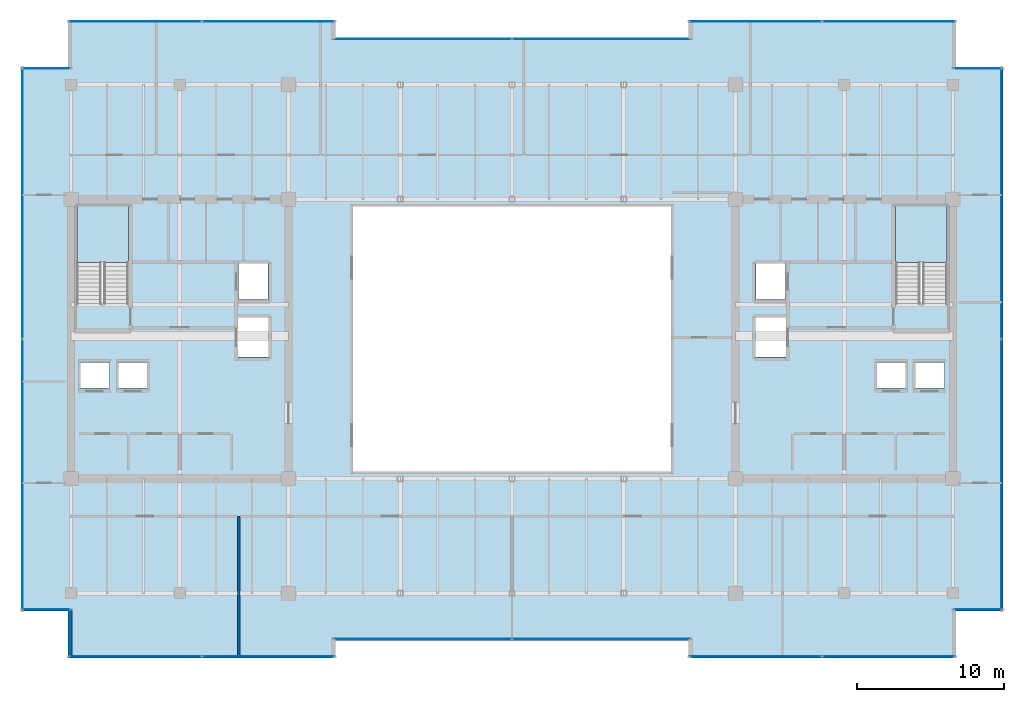
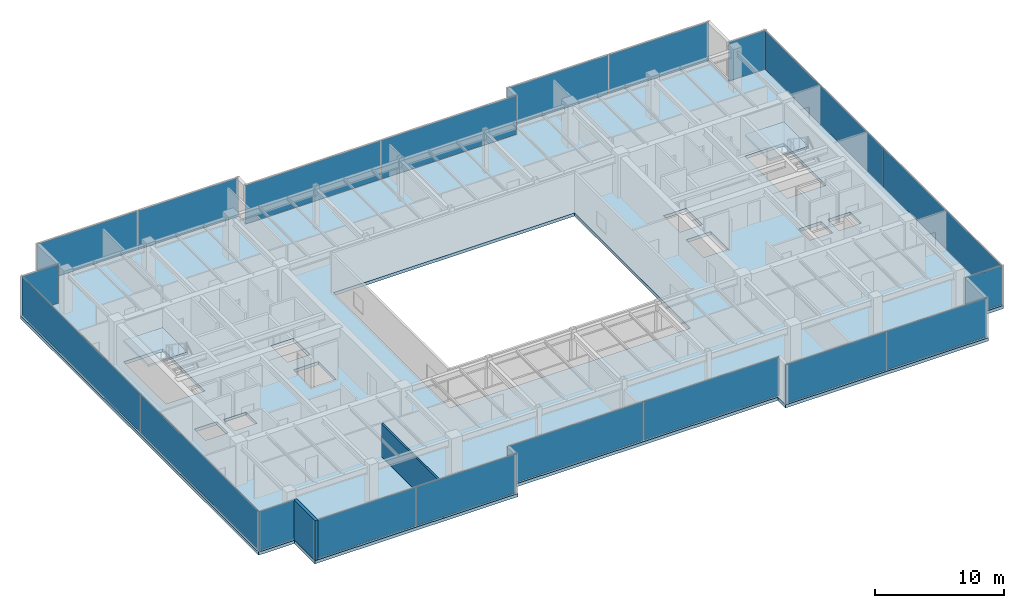
# One storey, part 27 of 33: 20 plates, 3 slabs, 2 walls, 14 elements without a shape of their own.
"""IFC4 building model written with IfcOpenShell, lengths in metres."""

from ifc_helpers import new_model, si_unit, direction, frame, frame_2d, origin, origin_2d, place, context, subcontext, project, spatial, polyline, rectangle, outline, extrude, source, transform, mapped, material, layer, layer_set, type_object, type_shapes, element, aggregate, save


model = new_model("IFC4")

# Units and contexts
model_context = context("Model", 3, precision=1e-05, world=origin(), true_north=direction((0.0, 1.0)))
body_context = subcontext(model_context, "Body", "Model", "MODEL_VIEW")
ifc_project = project(units=[si_unit("LENGTHUNIT", "METRE"), si_unit("AREAUNIT", "SQUARE_METRE"), si_unit("VOLUMEUNIT", "CUBIC_METRE"), si_unit("PLANEANGLEUNIT", "RADIAN"), si_unit("MASSUNIT", "GRAM", prefix="KILO")], contexts=[model_context])

# Site, building, storey
site_placement = place(None, origin())
site = spatial("IfcSite", under=ifc_project, at=site_placement, CompositionType="ELEMENT")
building_placement = place(site_placement, origin())
building = spatial("IfcBuilding", under=site, at=building_placement, Name="Haelvirn Gate Laboratories", CompositionType="ELEMENT")
storey_placement = place(building_placement, frame((0.0, 0.0, 258.800048828125)))
storey = spatial("IfcBuildingStorey", under=building, at=storey_placement, Name="L62", CompositionType="ELEMENT", Elevation=258.800048828125)

# Stair, slab
ifc_material_1 = material(Name="Concrete C40/50", Category="concrete")
stair_type = type_object("IfcStairType", Name="ST-DOG-1650-R22", PredefinedType="HALF_TURN_STAIR", material=ifc_material_1)
stair_1_placement = place(storey_placement, origin())
stair_1 = element("IfcStair", 1, at=stair_1_placement, inside=storey, type_object=stair_type, Name="L62 Escape Stair ST1", PredefinedType="HALF_TURN_STAIR")
ifc_layer_1 = layer(ifc_material_1, 0.199951171875, Name="SL-STAIR-LND")
ifc_layer_set_1 = layer_set([ifc_layer_1], Name="Concrete C40/50")
slab_type_1 = type_object("IfcSlabType", Name="SL-STAIR-LND", PredefinedType="LANDING", material=ifc_layer_set_1)
slab_1_placement = place(storey_placement, frame((0.0, 0.0, 1.849853515625)))
slab_1 = element("IfcSlab", 2, at=slab_1_placement, type_object=slab_type_1, Name="ST1 landing 1", PredefinedType="LANDING", context=body_context, shape_type="SweptSolid", body=[
    extrude(outline(polyline([(11.300048828125, 29.5), (11.300048828125, 33.35009765625), (7.800048828125, 33.35009765625), (7.800048828125, 29.5), (11.300048828125, 29.5)])), origin(), (0.0, 0.0, 1.0), 0.2001953125),
])
aggregate(stair_1, [slab_1])

stair_2_placement = place(storey_placement, origin())
stair_2 = element("IfcStair", 3, at=stair_2_placement, inside=storey, type_object=stair_type, Name="L62 Escape Stair ST2", PredefinedType="HALF_TURN_STAIR")
slab_2_placement = place(storey_placement, frame((0.0, 0.0, 1.849853515625)))
slab_2 = element("IfcSlab", 4, at=slab_2_placement, type_object=slab_type_1, Name="ST2 landing 1", PredefinedType="LANDING", context=body_context, shape_type="SweptSolid", body=[
    extrude(outline(polyline([(67.0, 29.5), (67.0, 33.35009765625), (63.5, 33.35009765625), (63.5, 29.5), (67.0, 29.5)])), origin(), (0.0, 0.0, 1.0), 0.2001953125),
])
aggregate(stair_2, [slab_2])

# Slab
ifc_layer_2 = layer(ifc_material_1, 0.300048828125, Name="SL-Z3-300")
ifc_layer_set_2 = layer_set([ifc_layer_2], Name="Concrete C40/50")
slab_type_2 = type_object("IfcSlabType", Name="SL-Z3-300", PredefinedType="FLOOR", material=ifc_layer_set_2)
slab_3_placement = place(storey_placement, frame((0.0, 0.0, -0.300048828125)))
element("IfcSlab", 5, at=slab_3_placement, inside=storey, type_object=slab_type_2, Name="L62 Structural Slab MAIN", PredefinedType="FLOOR", context=body_context, shape_type="SweptSolid", body=[
    extrude(outline(polyline([(7.199951171875, 2.60009765625), (25.39990234375, 2.60009765625), (25.39990234375, 3.800048828125), (49.39990234375, 3.800048828125), (49.39990234375, 2.60009765625), (67.60009765625, 2.60009765625), (67.60009765625, 5.800048828125), (70.800048828125, 5.800048828125), (70.800048828125, 42.800048828125), (67.60009765625, 42.800048828125), (67.60009765625, 46.0), (49.39990234375, 46.0), (49.39990234375, 44.800048828125), (25.39990234375, 44.800048828125), (25.39990234375, 46.0), (7.199951171875, 46.0), (7.199951171875, 42.800048828125), (4.0, 42.800048828125), (4.0, 5.800048828125), (7.199951171875, 5.800048828125), (7.199951171875, 2.60009765625)]), holes=[polyline([(26.60009765625, 15.300048828125), (48.199951171875, 15.300048828125), (48.199951171875, 33.300048828125), (26.60009765625, 33.300048828125), (26.60009765625, 15.300048828125)]), polyline([(11.300048828125, 26.780029296875), (11.300048828125, 33.35009765625), (7.800048828125, 33.35009765625), (7.800048828125, 26.780029296875), (11.300048828125, 26.780029296875)]), polyline([(67.0, 26.780029296875), (67.0, 33.35009765625), (63.5, 33.35009765625), (63.5, 26.780029296875), (67.0, 26.780029296875)]), polyline([(7.989990234375, 20.969970703125), (10.010009765625, 20.969970703125), (10.010009765625, 22.7099609375), (7.989990234375, 22.7099609375), (7.989990234375, 20.969970703125)]), polyline([(10.590087890625, 20.969970703125), (12.610107421875, 20.969970703125), (12.610107421875, 22.7099609375), (10.590087890625, 22.7099609375), (10.590087890625, 20.969970703125)]), polyline([(18.7900390625, 26.969970703125), (20.81005859375, 26.969970703125), (20.81005859375, 29.510009765625), (18.7900390625, 29.510009765625), (18.7900390625, 26.969970703125)]), polyline([(18.68994140625, 23.070068359375), (20.909912109375, 23.070068359375), (20.909912109375, 25.81005859375), (18.68994140625, 25.81005859375), (18.68994140625, 23.070068359375)]), polyline([(64.7900390625, 20.969970703125), (66.81005859375, 20.969970703125), (66.81005859375, 22.7099609375), (64.7900390625, 22.7099609375), (64.7900390625, 20.969970703125)]), polyline([(62.18994140625, 20.969970703125), (64.2099609375, 20.969970703125), (64.2099609375, 22.7099609375), (62.18994140625, 22.7099609375), (62.18994140625, 20.969970703125)]), polyline([(53.989990234375, 26.969970703125), (56.010009765625, 26.969970703125), (56.010009765625, 29.510009765625), (53.989990234375, 29.510009765625), (53.989990234375, 26.969970703125)]), polyline([(53.889892578125, 23.070068359375), (56.110107421875, 23.070068359375), (56.110107421875, 25.81005859375), (53.889892578125, 25.81005859375), (53.889892578125, 23.070068359375)])]), origin(), (0.0, 0.0, 1.0), 0.300048828125),
])

# Curtain wall, plates
ifc_material_2 = material(Name="Anodised bronze unitised aluminium & triple low-E glass", Category="aluminium")
ifc_layer_3 = layer(ifc_material_2, 0.176025390625, Name="CW-SYS-4")
ifc_layer_set_3 = layer_set([ifc_layer_3], Name="Anodised bronze unitised aluminium & triple low-E glass")
curtain_wall_type_1 = type_object("IfcCurtainWallType", Name="CW-SYS-4", PredefinedType="NOTDEFINED", material=ifc_layer_set_3)
curtain_wall_1_placement = place(storey_placement, origin())
curtain_wall_1 = element("IfcCurtainWall", 6, at=curtain_wall_1_placement, inside=storey, type_object=curtain_wall_type_1, Name="L62 Unitised Curtain Wall CW-L62-P0-E00-1", PredefinedType="NOTDEFINED")
ifc_material_3 = material(Name="Acoustic laminated bronze triple IGU 36 mm", Category="glass")
ifc_layer_4 = layer(ifc_material_3, 0.035888671875, Name="CWP-IGU-36")
ifc_layer_set_4 = layer_set([ifc_layer_4], Name="Acoustic laminated bronze triple IGU 36 mm")
plate_type_1 = type_object("IfcPlateType", Name="CWP-IGU-36", PredefinedType="CURTAIN_PANEL", material=ifc_layer_set_4)
shared_shape_1 = source(origin(), body_context, "Body", "SweptSolid", [
    extrude(rectangle(XDim=8.9951171875, YDim=0.035888671875, at=origin_2d()), origin(), (0.0, 0.0, 1.0), 3.669921875),
])
plate_1_placement = place(storey_placement, frame((11.767578125, 2.699951171875, 0.06494140625), z_axis=(0.0, 0.0, 1.0), x_axis=(1.0, 0.0, 0.0)))
plate_1 = element("IfcPlate", 7, at=plate_1_placement, type_object=plate_type_1, Name="CW4 panel 1.1", PredefinedType="CURTAIN_PANEL", context=body_context, shape_type="MappedRepresentation", body=[
    mapped(shared_shape_1, transform((0.0, 0.0, 0.0), scale=1.0)),
])
plate_2_placement = place(storey_placement, frame((20.83251953125, 2.699951171875, 0.06494140625), z_axis=(0.0, 0.0, 1.0), x_axis=(1.0, 0.0, 0.0)))
plate_2 = element("IfcPlate", 8, at=plate_2_placement, type_object=plate_type_1, Name="CW4 panel 2.1", PredefinedType="CURTAIN_PANEL", context=body_context, shape_type="MappedRepresentation", body=[
    mapped(shared_shape_1, transform((0.0, 0.0, 0.0), scale=1.0)),
])
aggregate(curtain_wall_1, [plate_1, plate_2])

curtain_wall_2_placement = place(storey_placement, origin())
curtain_wall_2 = element("IfcCurtainWall", 9, at=curtain_wall_2_placement, inside=storey, type_object=curtain_wall_type_1, Name="L62 Unitised Curtain Wall CW-L62-P0-E04-1", PredefinedType="NOTDEFINED")
plate_3_placement = place(storey_placement, frame((53.967529296875, 2.699951171875, 0.06494140625), z_axis=(0.0, 0.0, 1.0), x_axis=(1.0, 0.0, 0.0)))
plate_3 = element("IfcPlate", 10, at=plate_3_placement, type_object=plate_type_1, Name="CW4 panel 1.1", PredefinedType="CURTAIN_PANEL", context=body_context, shape_type="MappedRepresentation", body=[
    mapped(shared_shape_1, transform((0.0, 0.0, 0.0), scale=1.0)),
])
plate_4_placement = place(storey_placement, frame((63.032470703125, 2.699951171875, 0.06494140625), z_axis=(0.0, 0.0, 1.0), x_axis=(1.0, 0.0, 0.0)))
plate_4 = element("IfcPlate", 11, at=plate_4_placement, type_object=plate_type_1, Name="CW4 panel 2.1", PredefinedType="CURTAIN_PANEL", context=body_context, shape_type="MappedRepresentation", body=[
    mapped(shared_shape_1, transform((0.0, 0.0, 0.0), scale=1.0)),
])
aggregate(curtain_wall_2, [plate_3, plate_4])

curtain_wall_3_placement = place(storey_placement, origin())
curtain_wall_3 = element("IfcCurtainWall", 12, at=curtain_wall_3_placement, inside=storey, type_object=curtain_wall_type_1, Name="L62 Unitised Curtain Wall CW-L62-P0-E10-1", PredefinedType="NOTDEFINED")
plate_5_placement = place(storey_placement, frame((53.967529296875, 45.89990234375, 0.06494140625), z_axis=(0.0, 0.0, 1.0), x_axis=(1.0, 0.0, 0.0)))
plate_5 = element("IfcPlate", 13, at=plate_5_placement, type_object=plate_type_1, Name="CW4 panel 1.1", PredefinedType="CURTAIN_PANEL", context=body_context, shape_type="MappedRepresentation", body=[
    mapped(shared_shape_1, transform((0.0, 0.0, 0.0), scale=1.0)),
])
plate_6_placement = place(storey_placement, frame((63.032470703125, 45.89990234375, 0.06494140625), z_axis=(0.0, 0.0, 1.0), x_axis=(1.0, 0.0, 0.0)))
plate_6 = element("IfcPlate", 14, at=plate_6_placement, type_object=plate_type_1, Name="CW4 panel 2.1", PredefinedType="CURTAIN_PANEL", context=body_context, shape_type="MappedRepresentation", body=[
    mapped(shared_shape_1, transform((0.0, 0.0, 0.0), scale=1.0)),
])
aggregate(curtain_wall_3, [plate_5, plate_6])

curtain_wall_4_placement = place(storey_placement, origin())
curtain_wall_4 = element("IfcCurtainWall", 15, at=curtain_wall_4_placement, inside=storey, type_object=curtain_wall_type_1, Name="L62 Unitised Curtain Wall CW-L62-P0-E14-1", PredefinedType="NOTDEFINED")
plate_7_placement = place(storey_placement, frame((11.767578125, 45.89990234375, 0.06494140625), z_axis=(0.0, 0.0, 1.0), x_axis=(1.0, 0.0, 0.0)))
plate_7 = element("IfcPlate", 16, at=plate_7_placement, type_object=plate_type_1, Name="CW4 panel 1.1", PredefinedType="CURTAIN_PANEL", context=body_context, shape_type="MappedRepresentation", body=[
    mapped(shared_shape_1, transform((0.0, 0.0, 0.0), scale=1.0)),
])
plate_8_placement = place(storey_placement, frame((20.83251953125, 45.89990234375, 0.06494140625), z_axis=(0.0, 0.0, 1.0), x_axis=(1.0, 0.0, 0.0)))
plate_8 = element("IfcPlate", 17, at=plate_8_placement, type_object=plate_type_1, Name="CW4 panel 2.1", PredefinedType="CURTAIN_PANEL", context=body_context, shape_type="MappedRepresentation", body=[
    mapped(shared_shape_1, transform((0.0, 0.0, 0.0), scale=1.0)),
])
aggregate(curtain_wall_4, [plate_7, plate_8])

curtain_wall_5_placement = place(storey_placement, origin())
curtain_wall_5 = element("IfcCurtainWall", 18, at=curtain_wall_5_placement, inside=storey, type_object=curtain_wall_type_1, Name="L62 Unitised Curtain Wall CW-L62-P0-E02-1", PredefinedType="NOTDEFINED")
shared_shape_2 = source(origin(), body_context, "Body", "SweptSolid", [
    extrude(rectangle(XDim=12.135009765625, YDim=0.035888671875, at=origin_2d()), origin(), (0.0, 0.0, 1.0), 3.669921875),
])
plate_9_placement = place(storey_placement, frame((31.297607421875, 3.89990234375, 0.06494140625), z_axis=(0.0, 0.0, 1.0), x_axis=(1.0, 0.0, 0.0)))
plate_9 = element("IfcPlate", 19, at=plate_9_placement, type_object=plate_type_1, Name="CW4 panel 1.1", PredefinedType="CURTAIN_PANEL", context=body_context, shape_type="MappedRepresentation", body=[
    mapped(shared_shape_2, transform((0.0, 0.0, 0.0), scale=1.0)),
])
plate_10_placement = place(storey_placement, frame((43.50244140625, 3.89990234375, 0.06494140625), z_axis=(0.0, 0.0, 1.0), x_axis=(1.0, 0.0, 0.0)))
plate_10 = element("IfcPlate", 20, at=plate_10_placement, type_object=plate_type_1, Name="CW4 panel 2.1", PredefinedType="CURTAIN_PANEL", context=body_context, shape_type="MappedRepresentation", body=[
    mapped(shared_shape_2, transform((0.0, 0.0, 0.0), scale=1.0)),
])
aggregate(curtain_wall_5, [plate_9, plate_10])

curtain_wall_6_placement = place(storey_placement, origin())
curtain_wall_6 = element("IfcCurtainWall", 21, at=curtain_wall_6_placement, inside=storey, type_object=curtain_wall_type_1, Name="L62 Unitised Curtain Wall CW-L62-P0-E12-1", PredefinedType="NOTDEFINED")
plate_11_placement = place(storey_placement, frame((31.297607421875, 44.699951171875, 0.06494140625), z_axis=(0.0, 0.0, 1.0), x_axis=(1.0, 0.0, 0.0)))
plate_11 = element("IfcPlate", 22, at=plate_11_placement, type_object=plate_type_1, Name="CW4 panel 1.1", PredefinedType="CURTAIN_PANEL", context=body_context, shape_type="MappedRepresentation", body=[
    mapped(shared_shape_2, transform((0.0, 0.0, 0.0), scale=1.0)),
])
plate_12_placement = place(storey_placement, frame((43.50244140625, 44.699951171875, 0.06494140625), z_axis=(0.0, 0.0, 1.0), x_axis=(1.0, 0.0, 0.0)))
plate_12 = element("IfcPlate", 23, at=plate_12_placement, type_object=plate_type_1, Name="CW4 panel 2.1", PredefinedType="CURTAIN_PANEL", context=body_context, shape_type="MappedRepresentation", body=[
    mapped(shared_shape_2, transform((0.0, 0.0, 0.0), scale=1.0)),
])
aggregate(curtain_wall_6, [plate_11, plate_12])

# Curtain wall, plate
ifc_layer_5 = layer(ifc_material_2, 0.181884765625, Name="CW-SYS-5")
ifc_layer_set_5 = layer_set([ifc_layer_5], Name="Anodised bronze unitised aluminium & triple low-E glass")
curtain_wall_type_2 = type_object("IfcCurtainWallType", Name="CW-SYS-5", PredefinedType="NOTDEFINED", material=ifc_layer_set_5)
curtain_wall_7_placement = place(storey_placement, origin())
curtain_wall_7 = element("IfcCurtainWall", 24, at=curtain_wall_7_placement, inside=storey, type_object=curtain_wall_type_2, Name="L62 Unitised Curtain Wall CW-L62-P0-E06-1", PredefinedType="NOTDEFINED")
ifc_material_4 = material(Name="Clear low-iron notched-corner triple IGU 42 mm", Category="glass")
ifc_layer_6 = layer(ifc_material_4, 0.0419921875, Name="CWP-NTC-42")
ifc_layer_set_6 = layer_set([ifc_layer_6], Name="Clear low-iron notched-corner triple IGU 42 mm")
plate_type_2 = type_object("IfcPlateType", Name="CWP-NTC-42", PredefinedType="CURTAIN_PANEL", material=ifc_layer_set_6)
shared_shape_3 = source(origin(), body_context, "Body", "SweptSolid", [
    extrude(rectangle(XDim=3.280029296875, YDim=0.0419921875, at=origin_2d()), origin(), (0.0, 0.0, 1.0), 3.669921875),
])
type_shapes(plate_type_2, [shared_shape_3])
plate_13_placement = place(storey_placement, frame((69.080078125, 5.89990234375, 0.06494140625), z_axis=(0.0, 0.0, 1.0), x_axis=(1.0, 0.0, 0.0)))
plate_13 = element("IfcPlate", 25, at=plate_13_placement, type_object=plate_type_2, Name="CW5 panel 1.1", PredefinedType="CURTAIN_PANEL", context=body_context, shape_type="MappedRepresentation", body=[
    mapped(shared_shape_3, transform((0.0, 0.0, 0.0), scale=1.0)),
])
aggregate(curtain_wall_7, [plate_13])

curtain_wall_8_placement = place(storey_placement, origin())
curtain_wall_8 = element("IfcCurtainWall", 26, at=curtain_wall_8_placement, inside=storey, type_object=curtain_wall_type_2, Name="L62 Unitised Curtain Wall CW-L62-P0-E08-1", PredefinedType="NOTDEFINED")
plate_14_placement = place(storey_placement, frame((69.080078125, 42.699951171875, 0.06494140625), z_axis=(0.0, 0.0, 1.0), x_axis=(1.0, 0.0, 0.0)))
plate_14 = element("IfcPlate", 27, at=plate_14_placement, type_object=plate_type_2, Name="CW5 panel 1.1", PredefinedType="CURTAIN_PANEL", context=body_context, shape_type="MappedRepresentation", body=[
    mapped(shared_shape_3, transform((0.0, 0.0, 0.0), scale=1.0)),
])
aggregate(curtain_wall_8, [plate_14])

curtain_wall_9_placement = place(storey_placement, origin())
curtain_wall_9 = element("IfcCurtainWall", 28, at=curtain_wall_9_placement, inside=storey, type_object=curtain_wall_type_2, Name="L62 Unitised Curtain Wall CW-L62-P0-E16-1", PredefinedType="NOTDEFINED")
plate_15_placement = place(storey_placement, frame((5.719970703125, 42.699951171875, 0.06494140625), z_axis=(0.0, 0.0, 1.0), x_axis=(1.0, 0.0, 0.0)))
plate_15 = element("IfcPlate", 29, at=plate_15_placement, type_object=plate_type_2, Name="CW5 panel 1.1", PredefinedType="CURTAIN_PANEL", context=body_context, shape_type="MappedRepresentation", body=[
    mapped(shared_shape_3, transform((0.0, 0.0, 0.0), scale=1.0)),
])
aggregate(curtain_wall_9, [plate_15])

curtain_wall_10_placement = place(storey_placement, origin())
curtain_wall_10 = element("IfcCurtainWall", 30, at=curtain_wall_10_placement, inside=storey, type_object=curtain_wall_type_2, Name="L62 Unitised Curtain Wall CW-L62-P0-E18-1", PredefinedType="NOTDEFINED")
plate_16_placement = place(storey_placement, frame((5.719970703125, 5.89990234375, 0.06494140625), z_axis=(0.0, 0.0, 1.0), x_axis=(1.0, 0.0, 0.0)))
plate_16 = element("IfcPlate", 31, at=plate_16_placement, type_object=plate_type_2, Name="CW5 panel 1.1", PredefinedType="CURTAIN_PANEL", context=body_context, shape_type="MappedRepresentation", body=[
    mapped(shared_shape_3, transform((0.0, 0.0, 0.0), scale=1.0)),
])
aggregate(curtain_wall_10, [plate_16])

# Curtain wall, plates
curtain_wall_11_placement = place(storey_placement, origin())
curtain_wall_11 = element("IfcCurtainWall", 32, at=curtain_wall_11_placement, inside=storey, type_object=curtain_wall_type_1, Name="L62 Unitised Curtain Wall CW-L62-P0-E07", PredefinedType="NOTDEFINED")
shared_shape_4 = source(origin(), body_context, "Body", "SweptSolid", [
    extrude(rectangle(XDim=18.39501953125, YDim=0.035888671875, at=origin_2d()), origin(), (0.0, 0.0, 1.0), 3.669921875),
])
type_shapes(plate_type_1, [shared_shape_1, shared_shape_2, shared_shape_4])
plate_17_placement = place(storey_placement, frame((70.699951171875, 15.0673828125, 0.06494140625), z_axis=(0.0, 0.0, 1.0), x_axis=(0.0, 1.0, 0.0)))
plate_17 = element("IfcPlate", 33, at=plate_17_placement, type_object=plate_type_1, Name="CW4 panel 1.1", PredefinedType="CURTAIN_PANEL", context=body_context, shape_type="MappedRepresentation", body=[
    mapped(shared_shape_4, transform((0.0, 0.0, 0.0), scale=1.0)),
])
plate_18_placement = place(storey_placement, frame((70.699951171875, 33.532470703125, 0.06494140625), z_axis=(0.0, 0.0, 1.0), x_axis=(0.0, 1.0, 0.0)))
plate_18 = element("IfcPlate", 34, at=plate_18_placement, type_object=plate_type_1, Name="CW4 panel 2.1", PredefinedType="CURTAIN_PANEL", context=body_context, shape_type="MappedRepresentation", body=[
    mapped(shared_shape_4, transform((0.0, 0.0, 0.0), scale=1.0)),
])
aggregate(curtain_wall_11, [plate_17, plate_18])

curtain_wall_12_placement = place(storey_placement, origin())
curtain_wall_12 = element("IfcCurtainWall", 35, at=curtain_wall_12_placement, inside=storey, type_object=curtain_wall_type_1, Name="L62 Unitised Curtain Wall CW-L62-P0-E17", PredefinedType="NOTDEFINED")
plate_19_placement = place(storey_placement, frame((4.10009765625, 33.532470703125, 0.06494140625), z_axis=(0.0, 0.0, 1.0), x_axis=(0.0, -1.0, 0.0)))
plate_19 = element("IfcPlate", 36, at=plate_19_placement, type_object=plate_type_1, Name="CW4 panel 1.1", PredefinedType="CURTAIN_PANEL", context=body_context, shape_type="MappedRepresentation", body=[
    mapped(shared_shape_4, transform((0.0, 0.0, 0.0), scale=1.0)),
])
plate_20_placement = place(storey_placement, frame((4.10009765625, 15.0673828125, 0.06494140625), z_axis=(0.0, 0.0, 1.0), x_axis=(0.0, -1.0, 0.0)))
plate_20 = element("IfcPlate", 37, at=plate_20_placement, type_object=plate_type_1, Name="CW4 panel 2.1", PredefinedType="CURTAIN_PANEL", context=body_context, shape_type="MappedRepresentation", body=[
    mapped(shared_shape_4, transform((0.0, 0.0, 0.0), scale=1.0)),
])
aggregate(curtain_wall_12, [plate_19, plate_20])

# Walls
ifc_material_5 = material(Name="Thermally-broken bronze aluminium rainscreen & mineral wool", Category="aluminium")
ifc_layer_7 = layer(ifc_material_5, 0.280029296875, Name="EW-TERR-280")
ifc_layer_set_7 = layer_set([ifc_layer_7], Name="Thermally-broken bronze aluminium rainscreen & mineral wool")
wall_type_1 = type_object("IfcWallType", Name="EW-TERR-280", PredefinedType="STANDARD", material=ifc_layer_set_7)
wall_1_placement = place(storey_placement, frame((7.340087890625, 5.887939453125, 0.0), z_axis=(0.0, 0.0, 1.0), x_axis=(0.0, -1.0, 0.0)))
element("IfcWall", 38, at=wall_1_placement, inside=storey, type_object=wall_type_1, Name="L62 Atrium Recess Bronze Return Wall 19", PredefinedType="STANDARD", context=body_context, shape_type="SweptSolid", body=[
    extrude(rectangle(XDim=3.287841796875, YDim=0.280029296875, at=frame_2d((1.64404296875, 0.0))), origin(), (0.0, 0.0, 1.0), 3.800048828125),
])
ifc_material_6 = material(Name="Double-layer acoustic gypsum laboratory partition", Category="gypsum")
ifc_layer_8 = layer(ifc_material_6, 0.159912109375, Name="IW-ACOUST-160")
ifc_layer_set_8 = layer_set([ifc_layer_8], Name="Double-layer acoustic gypsum laboratory partition")
wall_type_2 = type_object("IfcWallType", Name="IW-ACOUST-160", PredefinedType="PARTITIONING", material=ifc_layer_set_8)
wall_2_placement = place(storey_placement, frame((18.800048828125, 2.7099609375, 0.0), z_axis=(0.0, 0.0, 1.0), x_axis=(0.0, 1.0, 0.0)))
element("IfcWall", 39, at=wall_2_placement, inside=storey, type_object=wall_type_2, Name="L62 Interior Wall IW-L62-SDIV-01", PredefinedType="PARTITIONING", context=body_context, shape_type="SweptSolid", body=[
    extrude(rectangle(XDim=9.530029296875, YDim=0.159912109375, at=frame_2d((4.76513671875, 0.0))), origin(), (0.0, 0.0, 1.0), 3.135009765625),
])

save(model, "model.ifc")
